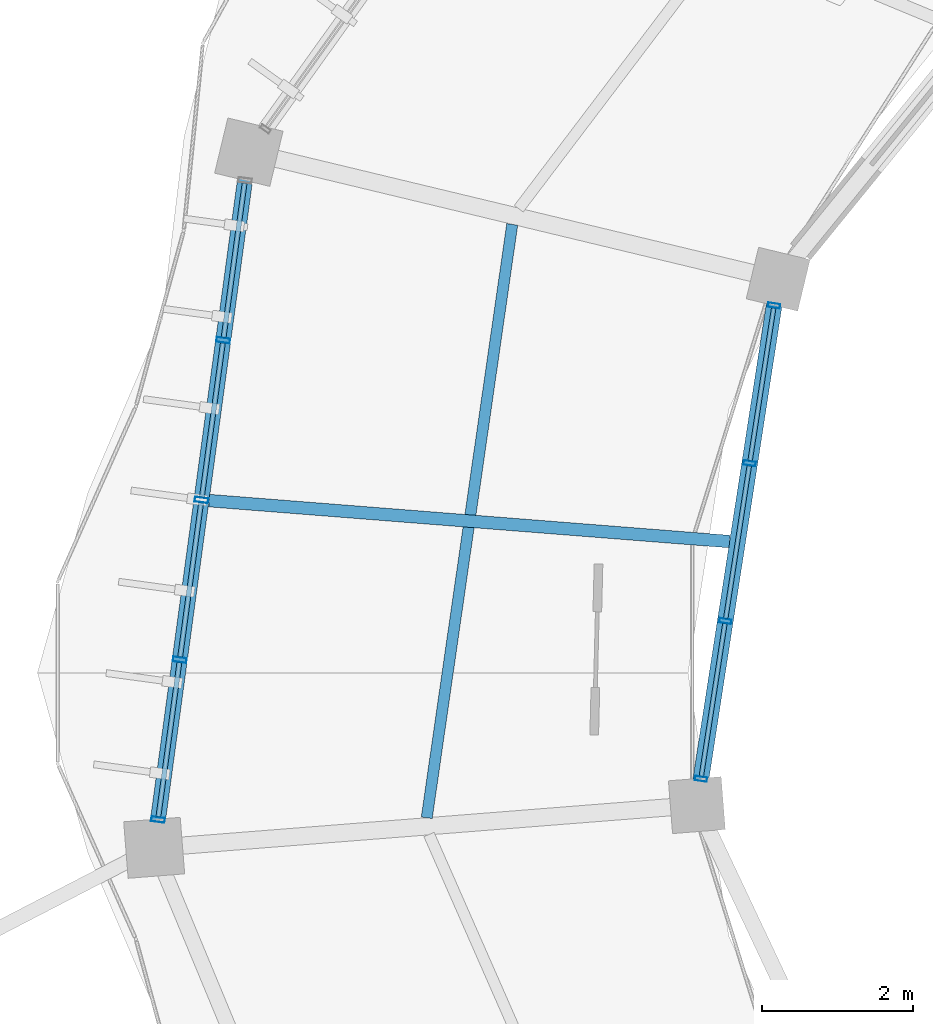
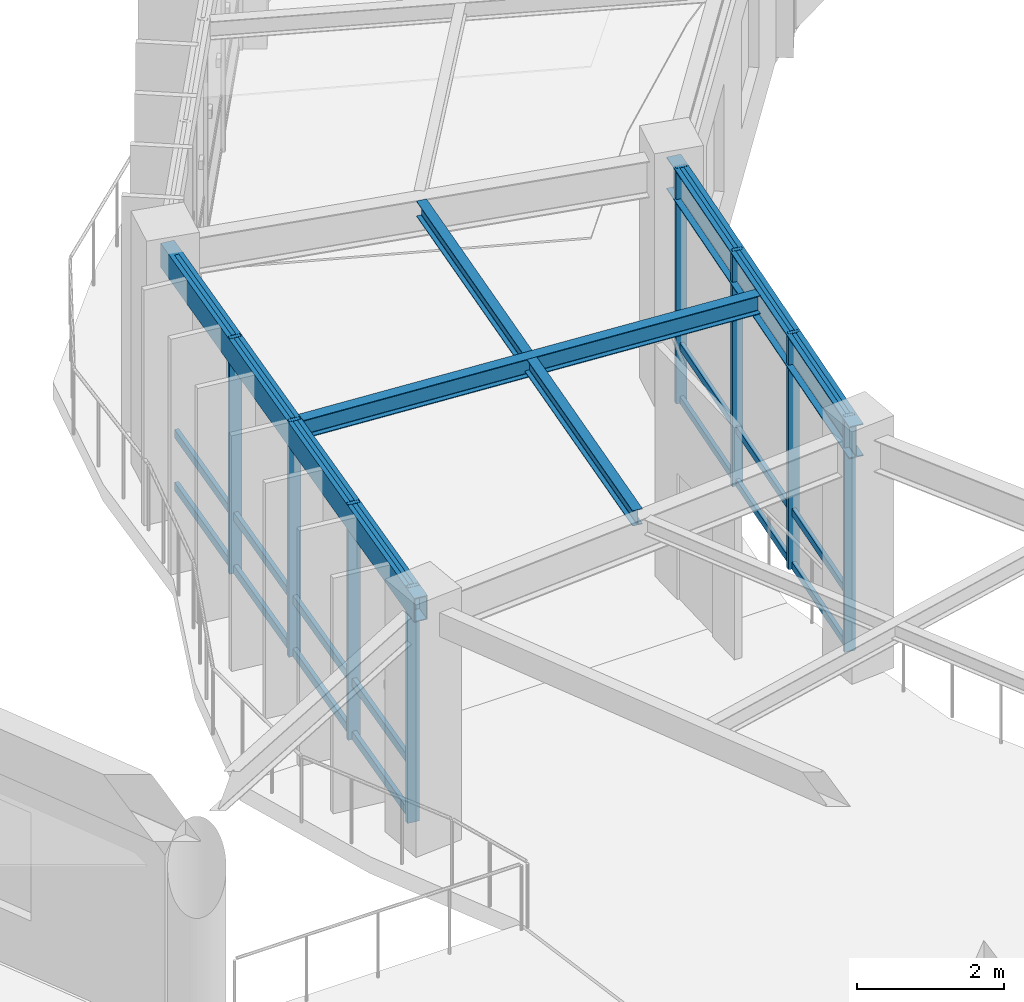
# One storey, part 52 of 152: 29 members, 4 beams, 2 elements without a shape of their own.
"""IFC4 building model written with IfcOpenShell, lengths in metres."""

from ifc_helpers import new_model, si_unit, direction, frame, origin, origin_2d, place, context, subcontext, project, spatial, hollow_rectangle, i_section, extrude, material, material_profile, profile_set, type_object, element, aggregate, save


model = new_model("IFC4")

# Units and contexts
model_context = context("Model", 3, precision=1e-05, world=origin(), true_north=direction((0.0, 1.0)))
body_context = subcontext(model_context, "Body", "Model", "MODEL_VIEW")
ifc_project = project(units=[si_unit("LENGTHUNIT", "METRE"), si_unit("AREAUNIT", "SQUARE_METRE"), si_unit("VOLUMEUNIT", "CUBIC_METRE"), si_unit("PLANEANGLEUNIT", "RADIAN"), si_unit("MASSUNIT", "GRAM", prefix="KILO"), si_unit("THERMODYNAMICTEMPERATUREUNIT", "KELVIN"), si_unit("POWERUNIT", "WATT")], contexts=[model_context])

# Site, building, storey
site_placement = place(None, origin())
site = spatial("IfcSite", under=ifc_project, at=site_placement, CompositionType="ELEMENT")
building_placement = place(site_placement, origin())
building = spatial("IfcBuilding", under=site, at=building_placement, Name="Darbajah Civic Hall", CompositionType="ELEMENT")
storey_placement = place(building_placement, frame((0.0, 0.0, 5.39990234375)))
storey = spatial("IfcBuildingStorey", under=building, at=storey_placement, Name="L01", CompositionType="ELEMENT", Elevation=5.39990234375)

# Curtain wall, members
ifc_material_1 = material(Name="Anodised Bronze Aluminium and Low-E Glazing", Category="aluminium")
curtain_wall_type_1 = type_object("IfcCurtainWallType", Name="Unitised Curtain Wall CW-29 6300x3900", PredefinedType="USERDEFINED", material=ifc_material_1)
curtain_wall_1_placement = place(storey_placement, origin())
curtain_wall_1 = element("IfcCurtainWall", 1, at=curtain_wall_1_placement, inside=storey, type_object=curtain_wall_type_1, Name="L01 unitised curtain wall CW-V1I-L01-09", ObjectType="UNITISED CURTAIN WALL", PredefinedType="USERDEFINED")
ifc_material_2 = material(Name="Anodised Bronze Aluminium", Category="aluminium")
ifc_material_profile_1 = material_profile(ifc_material_2, hollow_rectangle(XDim=0.06005859375, YDim=0.159912109375, WallThickness=0.00341796875, at=origin_2d()), Name="ALU MULLION 60x160")
ifc_profile_set_1 = profile_set([ifc_material_profile_1], Name="Anodised Bronze Aluminium")
member_type_1 = type_object("IfcMemberType", Name="ALU MULLION 60x160", PredefinedType="MULLION", material=ifc_profile_set_1)
member_1_placement = place(storey_placement, frame((46.456298828125, 94.657958984375, 0.0), z_axis=(0.0, 0.0, 1.0), x_axis=(-0.152813355565, -0.98825506746, 0.0)))
member_1 = element("IfcMember", 2, at=member_1_placement, type_object=member_type_1, Name="CW-V1I-L01-09 mullion 1", PredefinedType="MULLION", context=body_context, shape_type="SweptSolid", body=[
    extrude(hollow_rectangle(XDim=0.06005859375, YDim=0.159912109375, WallThickness=0.00341796875, at=origin_2d()), origin(), (0.0, 0.0, 1.0), 3.920166015625),
])
member_2_placement = place(storey_placement, frame((46.1337890625, 92.5712890625, 0.0), z_axis=(0.0, 0.0, 1.0), x_axis=(-0.152813355565, -0.98825506746, 0.0)))
member_2 = element("IfcMember", 3, at=member_2_placement, type_object=member_type_1, Name="CW-V1I-L01-09 mullion 2", PredefinedType="MULLION", context=body_context, shape_type="SweptSolid", body=[
    extrude(hollow_rectangle(XDim=0.06005859375, YDim=0.159912109375, WallThickness=0.00341796875, at=origin_2d()), origin(), (0.0, 0.0, 1.0), 3.920166015625),
])
member_3_placement = place(storey_placement, frame((45.811279296875, 90.48486328125, 0.0), z_axis=(0.0, 0.0, 1.0), x_axis=(-0.152813355565, -0.98825506746, 0.0)))
member_3 = element("IfcMember", 4, at=member_3_placement, type_object=member_type_1, Name="CW-V1I-L01-09 mullion 3", PredefinedType="MULLION", context=body_context, shape_type="SweptSolid", body=[
    extrude(hollow_rectangle(XDim=0.06005859375, YDim=0.159912109375, WallThickness=0.00341796875, at=origin_2d()), origin(), (0.0, 0.0, 1.0), 3.920166015625),
])
member_4_placement = place(storey_placement, frame((45.48876953125, 88.398193359375, 0.0), z_axis=(0.0, 0.0, 1.0), x_axis=(-0.152813355565, -0.98825506746, 0.0)))
member_4 = element("IfcMember", 5, at=member_4_placement, type_object=member_type_1, Name="CW-V1I-L01-09 mullion 4", PredefinedType="MULLION", context=body_context, shape_type="SweptSolid", body=[
    extrude(hollow_rectangle(XDim=0.06005859375, YDim=0.159912109375, WallThickness=0.00341796875, at=origin_2d()), origin(), (0.0, 0.0, 1.0), 3.920166015625),
])

curtain_wall_type_2 = type_object("IfcCurtainWallType", Name="Unitised Curtain Wall CW-28 8500x3900", PredefinedType="USERDEFINED", material=ifc_material_1)
curtain_wall_2_placement = place(storey_placement, origin())
curtain_wall_2 = element("IfcCurtainWall", 6, at=curtain_wall_2_placement, inside=storey, type_object=curtain_wall_type_2, Name="L01 unitised curtain wall CW-V1O-L01-09", ObjectType="UNITISED CURTAIN WALL", PredefinedType="USERDEFINED")
ifc_material_profile_2 = material_profile(ifc_material_2, hollow_rectangle(XDim=0.06494140625, YDim=0.179931640625, WallThickness=0.00390625, at=origin_2d()), Name="ALU MULLION 65x180")
ifc_profile_set_2 = profile_set([ifc_material_profile_2], Name="Anodised Bronze Aluminium")
member_type_2 = type_object("IfcMemberType", Name="ALU MULLION 65x180", PredefinedType="MULLION", material=ifc_profile_set_2)
member_5_placement = place(storey_placement, frame((39.170654296875, 94.199462890625, 0.0), z_axis=(0.0, 0.0, 1.0), x_axis=(-0.134850930274, -0.990865897387, 0.0)))
member_5 = element("IfcMember", 7, at=member_5_placement, type_object=member_type_2, Name="CW-V1O-L01-09 mullion 2", PredefinedType="MULLION", context=body_context, shape_type="SweptSolid", body=[
    extrude(hollow_rectangle(XDim=0.06494140625, YDim=0.179931640625, WallThickness=0.00390625, at=origin_2d()), origin(), (0.0, 0.0, 1.0), 3.920166015625),
])
member_6_placement = place(storey_placement, frame((38.88330078125, 92.086181640625, 0.0), z_axis=(0.0, 0.0, 1.0), x_axis=(-0.134850930274, -0.990865897387, 0.0)))
member_6 = element("IfcMember", 8, at=member_6_placement, type_object=member_type_2, Name="CW-V1O-L01-09 mullion 3", PredefinedType="MULLION", context=body_context, shape_type="SweptSolid", body=[
    extrude(hollow_rectangle(XDim=0.06494140625, YDim=0.179931640625, WallThickness=0.00390625, at=origin_2d()), origin(), (0.0, 0.0, 1.0), 3.920166015625),
])
member_7_placement = place(storey_placement, frame((38.595703125, 89.97265625, 0.0), z_axis=(0.0, 0.0, 1.0), x_axis=(-0.134850930274, -0.990865897387, 0.0)))
member_7 = element("IfcMember", 9, at=member_7_placement, type_object=member_type_2, Name="CW-V1O-L01-09 mullion 4", PredefinedType="MULLION", context=body_context, shape_type="SweptSolid", body=[
    extrude(hollow_rectangle(XDim=0.06494140625, YDim=0.179931640625, WallThickness=0.00390625, at=origin_2d()), origin(), (0.0, 0.0, 1.0), 3.920166015625),
])
member_8_placement = place(storey_placement, frame((38.30810546875, 87.859130859375, 0.0), z_axis=(0.0, 0.0, 1.0), x_axis=(-0.134850930274, -0.990865897387, 0.0)))
member_8 = element("IfcMember", 10, at=member_8_placement, type_object=member_type_2, Name="CW-V1O-L01-09 mullion 5", PredefinedType="MULLION", context=body_context, shape_type="SweptSolid", body=[
    extrude(hollow_rectangle(XDim=0.06494140625, YDim=0.179931640625, WallThickness=0.00390625, at=origin_2d()), origin(), (0.0, 0.0, 1.0), 3.920166015625),
])

# Member
ifc_material_profile_3 = material_profile(ifc_material_2, hollow_rectangle(XDim=0.06005859375, YDim=0.1201171875, WallThickness=0.003173828125, at=origin_2d()), Name="ALU TRANSOM 60x120")
ifc_profile_set_3 = profile_set([ifc_material_profile_3], Name="Anodised Bronze Aluminium")
member_type_3 = type_object("IfcMemberType", Name="ALU TRANSOM 60x120", PredefinedType="USERDEFINED", material=ifc_profile_set_3)
member_9_placement = place(storey_placement, frame((46.451171875, 94.623291015625, 0.06005859375), z_axis=(-0.152848012423, -0.988249707867, 0.0), x_axis=(0.988249707867, -0.152848012423, 0.0)))
member_9 = element("IfcMember", 11, at=member_9_placement, type_object=member_type_3, Name="CW-V1I-L01-09 transom 1.1", ObjectType="TRANSOM", PredefinedType="USERDEFINED", context=body_context, shape_type="SweptSolid", body=[
    extrude(hollow_rectangle(XDim=0.06005859375, YDim=0.1201171875, WallThickness=0.003173828125, at=origin_2d()), origin(), (0.0, 0.0, 1.0), 2.041259765625),
])

member_10_placement = place(storey_placement, frame((46.451171875, 94.623291015625, 0.9501953125), z_axis=(-0.152848012423, -0.988249707867, 0.0), x_axis=(0.988249707867, -0.152848012423, 0.0)))
member_10 = element("IfcMember", 12, at=member_10_placement, type_object=member_type_3, Name="CW-V1I-L01-09 transom 1.2", ObjectType="TRANSOM", PredefinedType="USERDEFINED", context=body_context, shape_type="SweptSolid", body=[
    extrude(hollow_rectangle(XDim=0.06005859375, YDim=0.1201171875, WallThickness=0.003173828125, at=origin_2d()), origin(), (0.0, 0.0, 1.0), 2.041259765625),
])

member_11_placement = place(storey_placement, frame((46.451171875, 94.623291015625, 3.860107421875), z_axis=(-0.152848012423, -0.988249707867, 0.0), x_axis=(0.988249707867, -0.152848012423, 0.0)))
member_11 = element("IfcMember", 13, at=member_11_placement, type_object=member_type_3, Name="CW-V1I-L01-09 transom 1.3", ObjectType="TRANSOM", PredefinedType="USERDEFINED", context=body_context, shape_type="SweptSolid", body=[
    extrude(hollow_rectangle(XDim=0.06005859375, YDim=0.1201171875, WallThickness=0.003173828125, at=origin_2d()), origin(), (0.0, 0.0, 1.0), 2.041259765625),
])

member_12_placement = place(storey_placement, frame((46.12841796875, 92.536865234375, 0.06005859375), z_axis=(-0.152713153508, -0.98827055645, 0.0), x_axis=(0.98827055645, -0.152713153508, 0.0)))
member_12 = element("IfcMember", 14, at=member_12_placement, type_object=member_type_3, Name="CW-V1I-L01-09 transom 2.1", ObjectType="TRANSOM", PredefinedType="USERDEFINED", context=body_context, shape_type="SweptSolid", body=[
    extrude(hollow_rectangle(XDim=0.06005859375, YDim=0.1201171875, WallThickness=0.003173828125, at=origin_2d()), origin(), (0.0, 0.0, 1.0), 2.04150390625),
])

member_13_placement = place(storey_placement, frame((46.12841796875, 92.536865234375, 0.9501953125), z_axis=(-0.152713153508, -0.98827055645, 0.0), x_axis=(0.98827055645, -0.152713153508, 0.0)))
member_13 = element("IfcMember", 15, at=member_13_placement, type_object=member_type_3, Name="CW-V1I-L01-09 transom 2.2", ObjectType="TRANSOM", PredefinedType="USERDEFINED", context=body_context, shape_type="SweptSolid", body=[
    extrude(hollow_rectangle(XDim=0.06005859375, YDim=0.1201171875, WallThickness=0.003173828125, at=origin_2d()), origin(), (0.0, 0.0, 1.0), 2.04150390625),
])

member_14_placement = place(storey_placement, frame((46.12841796875, 92.536865234375, 3.860107421875), z_axis=(-0.152713153508, -0.98827055645, 0.0), x_axis=(0.98827055645, -0.152713153508, 0.0)))
member_14 = element("IfcMember", 16, at=member_14_placement, type_object=member_type_3, Name="CW-V1I-L01-09 transom 2.3", ObjectType="TRANSOM", PredefinedType="USERDEFINED", context=body_context, shape_type="SweptSolid", body=[
    extrude(hollow_rectangle(XDim=0.06005859375, YDim=0.1201171875, WallThickness=0.003173828125, at=origin_2d()), origin(), (0.0, 0.0, 1.0), 2.04150390625),
])

member_15_placement = place(storey_placement, frame((45.805908203125, 90.4501953125, 0.06005859375), z_axis=(-0.15273120398, -0.98826776702, 0.0), x_axis=(0.98826776702, -0.15273120398, 0.0)))
member_15 = element("IfcMember", 17, at=member_15_placement, type_object=member_type_3, Name="CW-V1I-L01-09 transom 3.1", ObjectType="TRANSOM", PredefinedType="USERDEFINED", context=body_context, shape_type="SweptSolid", body=[
    extrude(hollow_rectangle(XDim=0.06005859375, YDim=0.1201171875, WallThickness=0.003173828125, at=origin_2d()), origin(), (0.0, 0.0, 1.0), 2.041259765625),
])

member_16_placement = place(storey_placement, frame((45.805908203125, 90.4501953125, 0.9501953125), z_axis=(-0.15273120398, -0.98826776702, 0.0), x_axis=(0.98826776702, -0.15273120398, 0.0)))
member_16 = element("IfcMember", 18, at=member_16_placement, type_object=member_type_3, Name="CW-V1I-L01-09 transom 3.2", ObjectType="TRANSOM", PredefinedType="USERDEFINED", context=body_context, shape_type="SweptSolid", body=[
    extrude(hollow_rectangle(XDim=0.06005859375, YDim=0.1201171875, WallThickness=0.003173828125, at=origin_2d()), origin(), (0.0, 0.0, 1.0), 2.041259765625),
])

member_17_placement = place(storey_placement, frame((45.805908203125, 90.4501953125, 3.860107421875), z_axis=(-0.15273120398, -0.98826776702, 0.0), x_axis=(0.98826776702, -0.15273120398, 0.0)))
member_17 = element("IfcMember", 19, at=member_17_placement, type_object=member_type_3, Name="CW-V1I-L01-09 transom 3.3", ObjectType="TRANSOM", PredefinedType="USERDEFINED", context=body_context, shape_type="SweptSolid", body=[
    extrude(hollow_rectangle(XDim=0.06005859375, YDim=0.1201171875, WallThickness=0.003173828125, at=origin_2d()), origin(), (0.0, 0.0, 1.0), 2.041259765625),
])

aggregate(curtain_wall_1, [member_1, member_2, member_3, member_4, member_9, member_10, member_11, member_12, member_13, member_14, member_15, member_16, member_17])

ifc_material_profile_4 = material_profile(ifc_material_2, hollow_rectangle(XDim=0.06494140625, YDim=0.139892578125, WallThickness=0.00341796875, at=origin_2d()), Name="ALU TRANSOM 65x140")
ifc_profile_set_4 = profile_set([ifc_material_profile_4], Name="Anodised Bronze Aluminium")
member_type_4 = type_object("IfcMemberType", Name="ALU TRANSOM 65x140", PredefinedType="USERDEFINED", material=ifc_profile_set_4)
member_18_placement = place(storey_placement, frame((39.453125, 96.27587890625, 0.070068359375), z_axis=(-0.134774364616, -0.990876314503, 0.0), x_axis=(0.990876314503, -0.134774364616, 0.0)))
member_18 = element("IfcMember", 20, at=member_18_placement, type_object=member_type_4, Name="CW-V1O-L01-09 transom 1.1", ObjectType="TRANSOM", PredefinedType="USERDEFINED", context=body_context, shape_type="SweptSolid", body=[
    extrude(hollow_rectangle(XDim=0.06494140625, YDim=0.139892578125, WallThickness=0.00341796875, at=origin_2d()), origin(), (0.0, 0.0, 1.0), 2.057861328125),
])

member_19_placement = place(storey_placement, frame((39.453125, 96.27587890625, 0.9501953125), z_axis=(-0.134774364616, -0.990876314503, 0.0), x_axis=(0.990876314503, -0.134774364616, 0.0)))
member_19 = element("IfcMember", 21, at=member_19_placement, type_object=member_type_4, Name="CW-V1O-L01-09 transom 1.2", ObjectType="TRANSOM", PredefinedType="USERDEFINED", context=body_context, shape_type="SweptSolid", body=[
    extrude(hollow_rectangle(XDim=0.06494140625, YDim=0.139892578125, WallThickness=0.00341796875, at=origin_2d()), origin(), (0.0, 0.0, 1.0), 2.057861328125),
])

member_20_placement = place(storey_placement, frame((39.453125, 96.27587890625, 3.85009765625), z_axis=(-0.134774364616, -0.990876314503, 0.0), x_axis=(0.990876314503, -0.134774364616, 0.0)))
member_20 = element("IfcMember", 22, at=member_20_placement, type_object=member_type_4, Name="CW-V1O-L01-09 transom 1.3", ObjectType="TRANSOM", PredefinedType="USERDEFINED", context=body_context, shape_type="SweptSolid", body=[
    extrude(hollow_rectangle(XDim=0.06494140625, YDim=0.139892578125, WallThickness=0.00341796875, at=origin_2d()), origin(), (0.0, 0.0, 1.0), 2.057861328125),
])

member_21_placement = place(storey_placement, frame((39.165771484375, 94.162353515625, 0.070068359375), z_axis=(-0.134890846246, -0.990860464243, 0.0), x_axis=(0.990860464243, -0.134890846246, 0.0)))
member_21 = element("IfcMember", 23, at=member_21_placement, type_object=member_type_4, Name="CW-V1O-L01-09 transom 2.1", ObjectType="TRANSOM", PredefinedType="USERDEFINED", context=body_context, shape_type="SweptSolid", body=[
    extrude(hollow_rectangle(XDim=0.06494140625, YDim=0.139892578125, WallThickness=0.00341796875, at=origin_2d()), origin(), (0.0, 0.0, 1.0), 2.057861328125),
])

member_22_placement = place(storey_placement, frame((39.165771484375, 94.162353515625, 0.9501953125), z_axis=(-0.134890846246, -0.990860464243, 0.0), x_axis=(0.990860464243, -0.134890846246, 0.0)))
member_22 = element("IfcMember", 24, at=member_22_placement, type_object=member_type_4, Name="CW-V1O-L01-09 transom 2.2", ObjectType="TRANSOM", PredefinedType="USERDEFINED", context=body_context, shape_type="SweptSolid", body=[
    extrude(hollow_rectangle(XDim=0.06494140625, YDim=0.139892578125, WallThickness=0.00341796875, at=origin_2d()), origin(), (0.0, 0.0, 1.0), 2.057861328125),
])

member_23_placement = place(storey_placement, frame((39.165771484375, 94.162353515625, 3.85009765625), z_axis=(-0.134890846246, -0.990860464243, 0.0), x_axis=(0.990860464243, -0.134890846246, 0.0)))
member_23 = element("IfcMember", 25, at=member_23_placement, type_object=member_type_4, Name="CW-V1O-L01-09 transom 2.3", ObjectType="TRANSOM", PredefinedType="USERDEFINED", context=body_context, shape_type="SweptSolid", body=[
    extrude(hollow_rectangle(XDim=0.06494140625, YDim=0.139892578125, WallThickness=0.00341796875, at=origin_2d()), origin(), (0.0, 0.0, 1.0), 2.057861328125),
])

member_24_placement = place(storey_placement, frame((38.878173828125, 92.048828125, 0.070068359375), z_axis=(-0.134890846246, -0.990860464243, 0.0), x_axis=(0.990860464243, -0.134890846246, 0.0)))
member_24 = element("IfcMember", 26, at=member_24_placement, type_object=member_type_4, Name="CW-V1O-L01-09 transom 3.1", ObjectType="TRANSOM", PredefinedType="USERDEFINED", context=body_context, shape_type="SweptSolid", body=[
    extrude(hollow_rectangle(XDim=0.06494140625, YDim=0.139892578125, WallThickness=0.00341796875, at=origin_2d()), origin(), (0.0, 0.0, 1.0), 2.057861328125),
])

member_25_placement = place(storey_placement, frame((38.878173828125, 92.048828125, 0.9501953125), z_axis=(-0.134890846246, -0.990860464243, 0.0), x_axis=(0.990860464243, -0.134890846246, 0.0)))
member_25 = element("IfcMember", 27, at=member_25_placement, type_object=member_type_4, Name="CW-V1O-L01-09 transom 3.2", ObjectType="TRANSOM", PredefinedType="USERDEFINED", context=body_context, shape_type="SweptSolid", body=[
    extrude(hollow_rectangle(XDim=0.06494140625, YDim=0.139892578125, WallThickness=0.00341796875, at=origin_2d()), origin(), (0.0, 0.0, 1.0), 2.057861328125),
])

member_26_placement = place(storey_placement, frame((38.878173828125, 92.048828125, 3.85009765625), z_axis=(-0.134890846246, -0.990860464243, 0.0), x_axis=(0.990860464243, -0.134890846246, 0.0)))
member_26 = element("IfcMember", 28, at=member_26_placement, type_object=member_type_4, Name="CW-V1O-L01-09 transom 3.3", ObjectType="TRANSOM", PredefinedType="USERDEFINED", context=body_context, shape_type="SweptSolid", body=[
    extrude(hollow_rectangle(XDim=0.06494140625, YDim=0.139892578125, WallThickness=0.00341796875, at=origin_2d()), origin(), (0.0, 0.0, 1.0), 2.057861328125),
])

member_27_placement = place(storey_placement, frame((38.590576171875, 89.935302734375, 0.070068359375), z_axis=(-0.134890846246, -0.990860464243, 0.0), x_axis=(0.990860464243, -0.134890846246, 0.0)))
member_27 = element("IfcMember", 29, at=member_27_placement, type_object=member_type_4, Name="CW-V1O-L01-09 transom 4.1", ObjectType="TRANSOM", PredefinedType="USERDEFINED", context=body_context, shape_type="SweptSolid", body=[
    extrude(hollow_rectangle(XDim=0.06494140625, YDim=0.139892578125, WallThickness=0.00341796875, at=origin_2d()), origin(), (0.0, 0.0, 1.0), 2.057861328125),
])

member_28_placement = place(storey_placement, frame((38.590576171875, 89.935302734375, 0.9501953125), z_axis=(-0.134890846246, -0.990860464243, 0.0), x_axis=(0.990860464243, -0.134890846246, 0.0)))
member_28 = element("IfcMember", 30, at=member_28_placement, type_object=member_type_4, Name="CW-V1O-L01-09 transom 4.2", ObjectType="TRANSOM", PredefinedType="USERDEFINED", context=body_context, shape_type="SweptSolid", body=[
    extrude(hollow_rectangle(XDim=0.06494140625, YDim=0.139892578125, WallThickness=0.00341796875, at=origin_2d()), origin(), (0.0, 0.0, 1.0), 2.057861328125),
])

member_29_placement = place(storey_placement, frame((38.590576171875, 89.935302734375, 3.85009765625), z_axis=(-0.134890846246, -0.990860464243, 0.0), x_axis=(0.990860464243, -0.134890846246, 0.0)))
member_29 = element("IfcMember", 31, at=member_29_placement, type_object=member_type_4, Name="CW-V1O-L01-09 transom 4.3", ObjectType="TRANSOM", PredefinedType="USERDEFINED", context=body_context, shape_type="SweptSolid", body=[
    extrude(hollow_rectangle(XDim=0.06494140625, YDim=0.139892578125, WallThickness=0.00341796875, at=origin_2d()), origin(), (0.0, 0.0, 1.0), 2.057861328125),
])

aggregate(curtain_wall_2, [member_5, member_6, member_7, member_8, member_18, member_19, member_20, member_21, member_22, member_23, member_24, member_25, member_26, member_27, member_28, member_29])

# Beams
ifc_material_3 = material(Name="Steel S355JR", Category="steel")
ifc_material_profile_5 = material_profile(ifc_material_3, hollow_rectangle(XDim=0.199951171875, YDim=0.39990234375, WallThickness=0.013916015625, at=origin_2d()), Name="RHS 400x200x14")
ifc_profile_set_5 = profile_set([ifc_material_profile_5], Name="Steel S355JR")
beam_type_1 = type_object("IfcBeamType", Name="RHS 400x200x14", PredefinedType="SPANDREL", material=ifc_profile_set_5)
beam_1_placement = place(storey_placement, frame((39.498291015625, 96.607421875, 3.72021484375), z_axis=(-0.134804002093, -0.9908722829, 0.0), x_axis=(0.9908722829, -0.134804002093, 0.0)))
element("IfcBeam", 32, at=beam_1_placement, inside=storey, type_object=beam_type_1, Name="L01 beam SP-RHS400", PredefinedType="SPANDREL", context=body_context, shape_type="SweptSolid", body=[
    extrude(hollow_rectangle(XDim=0.199951171875, YDim=0.39990234375, WallThickness=0.013916015625, at=origin_2d()), origin(), (0.0, 0.0, 1.0), 9.1259765625),
])
ifc_material_profile_6 = material_profile(ifc_material_3, i_section(OverallWidth=0.146484375, OverallDepth=0.256103515625, WebThickness=0.00634765625, FlangeThickness=0.010986328125, FilletRadius=0.007568359375, at=origin_2d()), Name="UB 254x146x37")
ifc_profile_set_6 = profile_set([ifc_material_profile_6], Name="Steel S355JR")
beam_type_2 = type_object("IfcBeamType", Name="UB 254x146x37", PredefinedType="JOIST", material=ifc_profile_set_6)
beam_2_placement = place(storey_placement, frame((42.9931640625, 95.7314453125, 3.7919921875), z_axis=(-0.142580747671, -0.989783173424, 0.0), x_axis=(0.989783173424, -0.142580747671, 0.0)))
element("IfcBeam", 33, at=beam_2_placement, inside=storey, type_object=beam_type_2, Name="L01 beam SJ-254", PredefinedType="JOIST", context=body_context, shape_type="SweptSolid", body=[
    extrude(i_section(OverallWidth=0.146484375, OverallDepth=0.256103515625, WebThickness=0.00634765625, FlangeThickness=0.010986328125, FilletRadius=0.007568359375, at=origin_2d()), origin(), (0.0, 0.0, 1.0), 7.9296875),
])
ifc_material_profile_7 = material_profile(ifc_material_3, i_section(OverallWidth=0.165771484375, OverallDepth=0.306640625, WebThickness=0.006591796875, FlangeThickness=0.01171875, FilletRadius=0.0087890625, at=origin_2d()), Name="UB 305x165x46")
ifc_profile_set_7 = profile_set([ifc_material_profile_7], Name="Steel S355JR")
beam_type_3 = type_object("IfcBeamType", Name="UB 305x165x46", PredefinedType="JOIST", material=ifc_profile_set_7)
beam_3_placement = place(storey_placement, frame((45.866943359375, 91.536376953125, 3.766845703125), z_axis=(-0.996918778661, 0.078440734012, 0.0), x_axis=(-0.078440734012, -0.996918778661, 0.0)))
element("IfcBeam", 34, at=beam_3_placement, inside=storey, type_object=beam_type_3, Name="L01 beam SJ-305", PredefinedType="JOIST", context=body_context, shape_type="SweptSolid", body=[
    extrude(i_section(OverallWidth=0.165771484375, OverallDepth=0.306640625, WebThickness=0.006591796875, FlangeThickness=0.01171875, FilletRadius=0.0087890625, at=origin_2d()), origin(), (0.0, 0.0, 1.0), 6.9033203125),
])
ifc_material_profile_8 = material_profile(ifc_material_3, i_section(OverallWidth=0.209228515625, OverallDepth=0.533203125, WebThickness=0.010009765625, FlangeThickness=0.015625, FilletRadius=0.0126953125, at=origin_2d()), Name="UB 533x210x92")
ifc_profile_set_8 = profile_set([ifc_material_profile_8], Name="Steel S355JR")
beam_type_4 = type_object("IfcBeamType", Name="UB 533x210x92", PredefinedType="BEAM", material=ifc_profile_set_8)
beam_4_placement = place(storey_placement, frame((46.498046875, 94.9267578125, 3.653564453125), z_axis=(-0.152771975645, -0.988261465128, 0.0), x_axis=(0.988261465128, -0.152771975645, 0.0)))
element("IfcBeam", 35, at=beam_4_placement, inside=storey, type_object=beam_type_4, Name="L01 beam SB-533", PredefinedType="BEAM", context=body_context, shape_type="SweptSolid", body=[
    extrude(i_section(OverallWidth=0.209228515625, OverallDepth=0.533203125, WebThickness=0.010009765625, FlangeThickness=0.015625, FilletRadius=0.0126953125, at=origin_2d()), origin(), (0.0, 0.0, 1.0), 6.878173828125),
])

save(model, "model.ifc")
